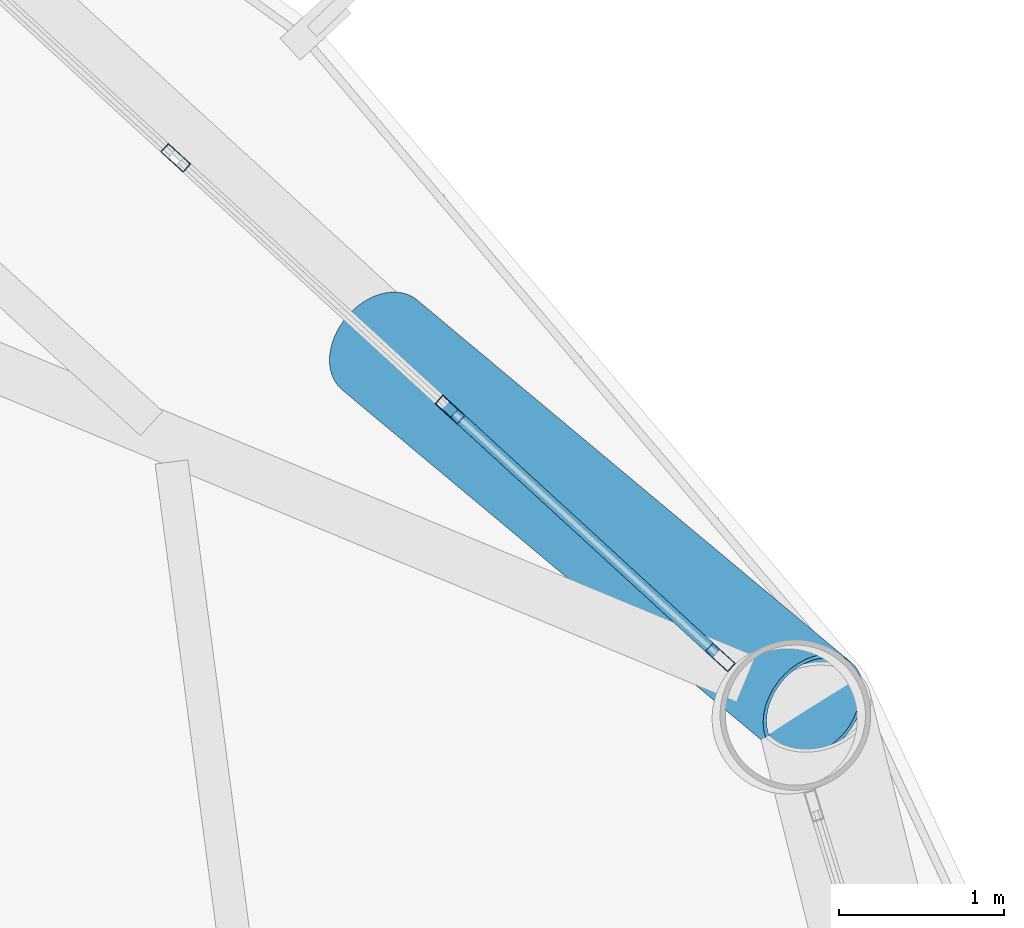
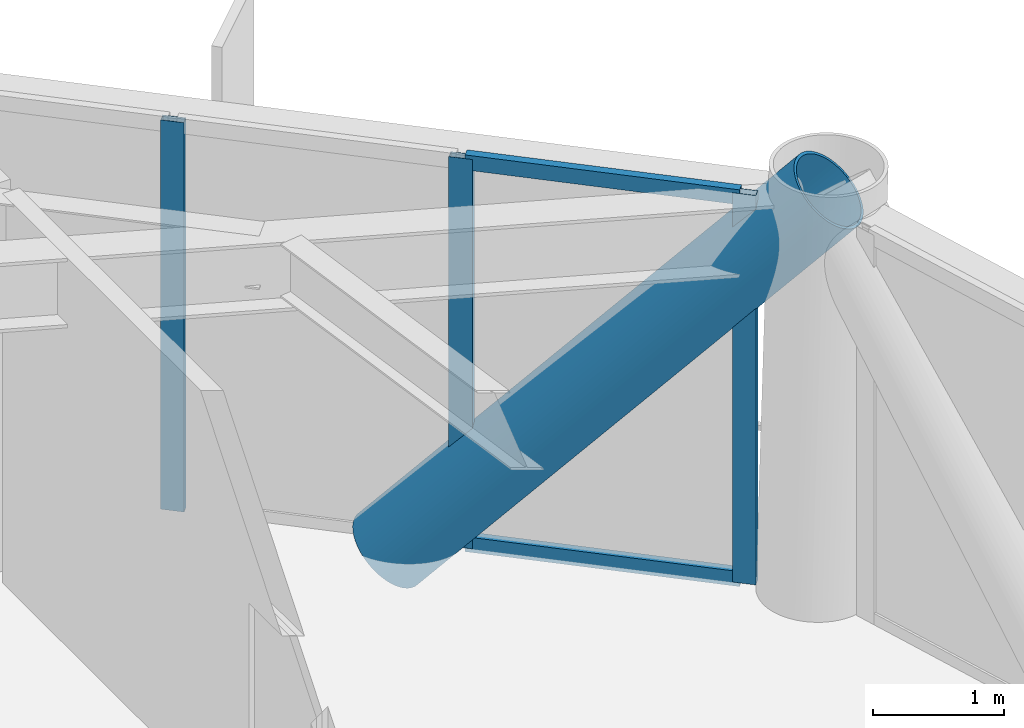
# One storey, part 17 of 25: 6 members, 1 element without a shape of its own.
"""IFC4 building model written with IfcOpenShell, lengths in metres."""

from ifc_helpers import new_model, si_unit, direction, frame, origin, origin_2d, place, context, subcontext, project, spatial, hollow_rectangle, hollow_circle, extrude, material, layer, layer_set, material_profile, profile_set, type_object, element, aggregate, save


model = new_model("IFC4")

# Units and contexts
model_context = context("Model", 3, precision=1e-05, world=origin(), true_north=direction((0.0, 1.0)))
body_context = subcontext(model_context, "Body", "Model", "MODEL_VIEW")
ifc_project = project(units=[si_unit("LENGTHUNIT", "METRE"), si_unit("AREAUNIT", "SQUARE_METRE"), si_unit("VOLUMEUNIT", "CUBIC_METRE"), si_unit("PLANEANGLEUNIT", "RADIAN"), si_unit("MASSUNIT", "GRAM", prefix="KILO")], contexts=[model_context])

# Site, building, storey
site_placement = place(None, origin())
site = spatial("IfcSite", under=ifc_project, at=site_placement, CompositionType="ELEMENT")
building_placement = place(site_placement, origin())
building = spatial("IfcBuilding", under=site, at=building_placement, Name="Varnakorn Sky Granary", CompositionType="ELEMENT")
storey_placement = place(building_placement, frame((0.0, 0.0, 35.39990234375)))
storey = spatial("IfcBuildingStorey", under=building, at=storey_placement, Name="L08", CompositionType="ELEMENT", Elevation=35.39990234375)

# Curtain wall, members
ifc_material_1 = material(Name="Anodised Bronze Aluminium Alloy 6063-T6", Category="aluminium")
ifc_layer = layer(ifc_material_1, 0.18994140625, Name="Anodised Bronze Aluminium Alloy 6063-T6")
ifc_layer_set = layer_set([ifc_layer], Name="Anodised Bronze Aluminium Alloy 6063-T6")
curtain_wall_type = type_object("IfcCurtainWallType", Name="CW-FRM-1", PredefinedType="USERDEFINED", material=ifc_layer_set)
curtain_wall_placement = place(storey_placement, origin())
curtain_wall = element("IfcCurtainWall", 1, at=curtain_wall_placement, inside=storey, type_object=curtain_wall_type, Name="Unitised Curtain Wall CW3 CW-L08-B02", ObjectType="CURTAIN WALL", PredefinedType="USERDEFINED")
ifc_material_profile_1 = material_profile(ifc_material_1, hollow_rectangle(XDim=0.070068359375, YDim=0.18505859375, WallThickness=0.00390625, at=origin_2d()), Name="ALU MULL 70x185")
ifc_profile_set_1 = profile_set([ifc_material_profile_1], Name="Anodised Bronze Aluminium Alloy 6063-T6")
member_type_1 = type_object("IfcMemberType", Name="CW-FRM-1-MULL", PredefinedType="MULLION", material=ifc_profile_set_1)
member_1_placement = place(storey_placement, frame((12.357666015625, 12.708251953125, 0.0), z_axis=(0.0, 0.0, 1.0), x_axis=(0.675878356504, 0.737013193375, 0.0)))
member_1 = element("IfcMember", 2, at=member_1_placement, type_object=member_type_1, Name="CW3 mullion 3", PredefinedType="MULLION", context=body_context, shape_type="SweptSolid", body=[
    extrude(hollow_rectangle(XDim=0.070068359375, YDim=0.18505859375, WallThickness=0.00390625, at=origin_2d()), origin(), (0.0, 0.0, 1.0), 3.64013671875),
])
member_2_placement = place(storey_placement, frame((14.023681640625, 11.18017578125, 0.0), z_axis=(0.0, 0.0, 1.0), x_axis=(0.675878356504, 0.737013193375, 0.0)))
member_2 = element("IfcMember", 3, at=member_2_placement, type_object=member_type_1, Name="CW3 mullion 4", PredefinedType="MULLION", context=body_context, shape_type="SweptSolid", body=[
    extrude(hollow_rectangle(XDim=0.070068359375, YDim=0.18505859375, WallThickness=0.00390625, at=origin_2d()), origin(), (0.0, 0.0, 1.0), 3.64013671875),
])
member_3_placement = place(storey_placement, frame((15.6640625, 9.676025390625, 0.0), z_axis=(0.0, 0.0, 1.0), x_axis=(0.675878356504, 0.737013193375, 0.0)))
member_3 = element("IfcMember", 4, at=member_3_placement, type_object=member_type_1, Name="CW3 mullion 5", PredefinedType="MULLION", context=body_context, shape_type="SweptSolid", body=[
    extrude(hollow_rectangle(XDim=0.070068359375, YDim=0.18505859375, WallThickness=0.00390625, at=origin_2d()), origin(), (0.0, 0.0, 1.0), 3.64013671875),
])
ifc_material_profile_2 = material_profile(ifc_material_1, hollow_rectangle(XDim=0.070068359375, YDim=0.139892578125, WallThickness=0.00341796875, at=origin_2d()), Name="ALU TRAN 70x140")
ifc_profile_set_2 = profile_set([ifc_material_profile_2], Name="Anodised Bronze Aluminium Alloy 6063-T6")
member_type_2 = type_object("IfcMemberType", Name="CW-FRM-1-TRAN", PredefinedType="USERDEFINED", material=ifc_profile_set_2)
member_4_placement = place(storey_placement, frame((14.049560546875, 11.15673828125, 0.03515625), z_axis=(0.736970763083, -0.675924621804, 0.0), x_axis=(0.675924621804, 0.736970763083, 0.0)))
member_4 = element("IfcMember", 5, at=member_4_placement, type_object=member_type_2, Name="CW3 transom 4.1", ObjectType="TRANSOM", PredefinedType="USERDEFINED", context=body_context, shape_type="SweptSolid", body=[
    extrude(hollow_rectangle(XDim=0.070068359375, YDim=0.139892578125, WallThickness=0.00341796875, at=origin_2d()), origin(), (0.0, 0.0, 1.0), 2.155517578125),
])
member_5_placement = place(storey_placement, frame((14.049560546875, 11.15673828125, 3.60498046875), z_axis=(0.736970763083, -0.675924621804, 0.0), x_axis=(0.675924621804, 0.736970763083, 0.0)))
member_5 = element("IfcMember", 6, at=member_5_placement, type_object=member_type_2, Name="CW3 transom 4.2", ObjectType="TRANSOM", PredefinedType="USERDEFINED", context=body_context, shape_type="SweptSolid", body=[
    extrude(hollow_rectangle(XDim=0.070068359375, YDim=0.139892578125, WallThickness=0.00341796875, at=origin_2d()), origin(), (0.0, 0.0, 1.0), 2.155517578125),
])
aggregate(curtain_wall, [member_1, member_2, member_3, member_4, member_5])

# Member
ifc_material_2 = material(Name="Steel S460M", Category="steel")
ifc_material_profile_3 = material_profile(ifc_material_2, hollow_circle(Radius=0.35546875, WallThickness=0.02490234375, at=origin_2d()), Name="CHS 711x25")
ifc_profile_set_3 = profile_set([ifc_material_profile_3], Name="Steel S460M")
member_type_3 = type_object("IfcMemberType", Name="MB-DIAG-T0", PredefinedType="BRACE", material=ifc_profile_set_3)
member_6_placement = place(storey_placement, frame((13.595458984375, 11.572998046875, -0.1298828125), z_axis=(0.516568466605, -0.431407712444, 0.739624502672), x_axis=(0.641003042082, 0.767538337832, 0.0)))
element("IfcMember", 7, at=member_6_placement, inside=storey, type_object=member_type_3, Name="Perimeter CHS Diagrid Brace DG02 L08", PredefinedType="BRACE", context=body_context, shape_type="SweptSolid", body=[
    extrude(hollow_circle(Radius=0.35546875, WallThickness=0.02490234375, at=origin_2d()), origin(), (0.0, 0.0, 1.0), 5.09716796875),
])

save(model, "model.ifc")
